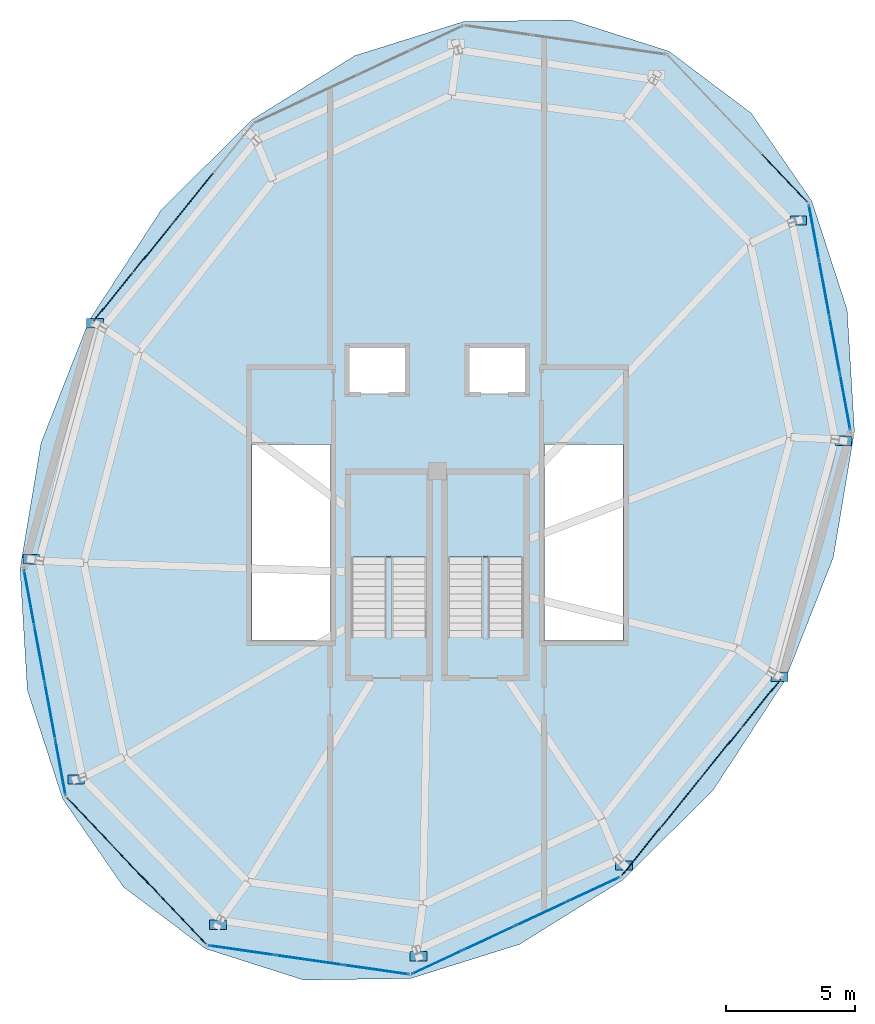
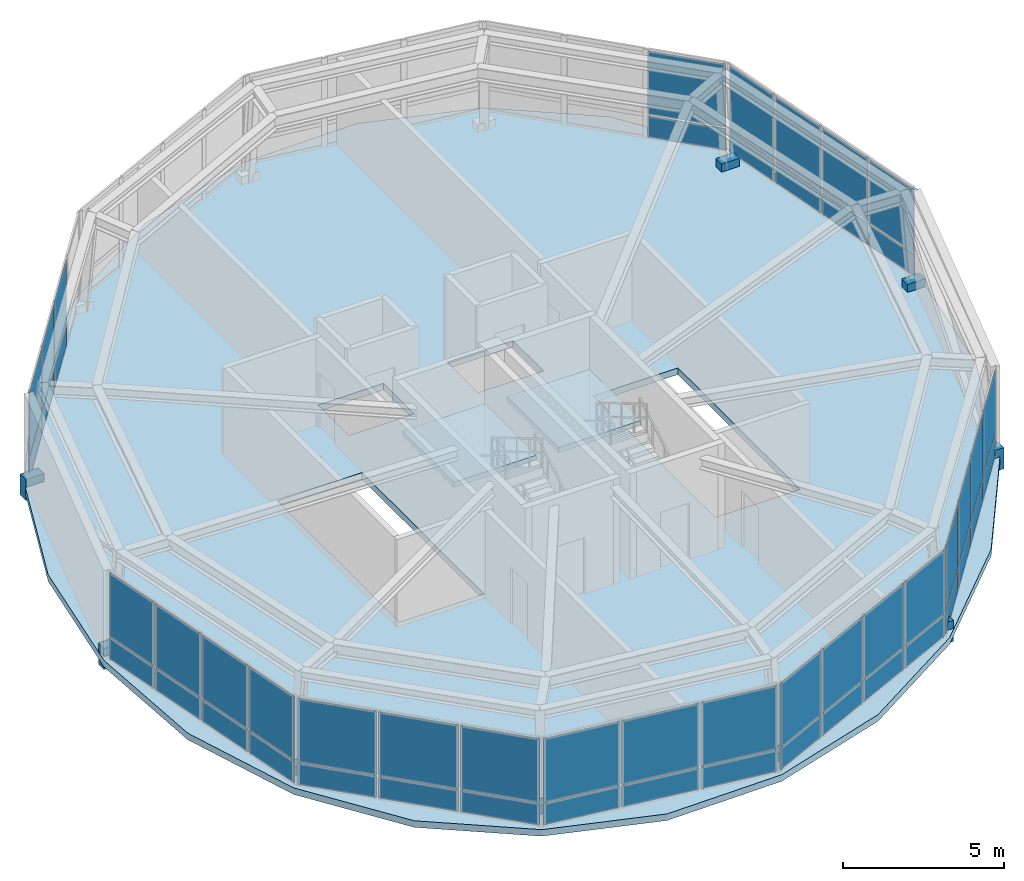
# One storey, part 11 of 14: 61 plates, 3 slabs, 10 elements without a shape of their own.
"""IFC4 building model written with IfcOpenShell, lengths in metres."""

from ifc_helpers import new_model, si_unit, direction, frame, origin, origin_2d, place, context, subcontext, project, spatial, polyline, rectangle, outline, extrude, material, layer, layer_set, type_object, element, aggregate, save


model = new_model("IFC4")

# Units and contexts
model_context = context("Model", 3, precision=1e-05, world=origin(), true_north=direction((0.0, 1.0)))
body_context = subcontext(model_context, "Body", "Model", "MODEL_VIEW")
ifc_project = project(units=[si_unit("LENGTHUNIT", "METRE"), si_unit("AREAUNIT", "SQUARE_METRE"), si_unit("VOLUMEUNIT", "CUBIC_METRE"), si_unit("PLANEANGLEUNIT", "RADIAN"), si_unit("MASSUNIT", "GRAM", prefix="KILO"), si_unit("THERMODYNAMICTEMPERATUREUNIT", "KELVIN"), si_unit("POWERUNIT", "WATT")], contexts=[model_context])

# Site, building, storey
site_placement = place(None, origin())
site = spatial("IfcSite", under=ifc_project, at=site_placement, CompositionType="ELEMENT")
building_placement = place(site_placement, origin())
building = spatial("IfcBuilding", under=site, at=building_placement, Name="Ocrelia Relay Tower", CompositionType="ELEMENT")
storey_placement = place(building_placement, frame((0.0, 0.0, 288.0)))
storey = spatial("IfcBuildingStorey", under=building, at=storey_placement, Name="L72", CompositionType="ELEMENT", Elevation=288.0)

# Curtain wall, plates
ifc_material_1 = material(Name="Aluminium and solar-control low-E glass", Category="aluminium")
ifc_layer_1 = layer(ifc_material_1, 0.179931640625, Name="Aluminium and solar-control low-E glass")
ifc_layer_set_1 = layer_set([ifc_layer_1], Name="Aluminium and solar-control low-E glass")
curtain_wall_type = type_object("IfcCurtainWallType", Name="CW-SYS-CROWN-PT", PredefinedType="NOTDEFINED", material=ifc_layer_set_1)
curtain_wall_1_placement = place(storey_placement, origin())
curtain_wall_1 = element("IfcCurtainWall", 1, at=curtain_wall_1_placement, inside=storey, type_object=curtain_wall_type, Name="L72 Faceted Glass-Point Crown Curtain Wall 03", PredefinedType="NOTDEFINED")
ifc_material_2 = material(Name="Clear double-glazed low-E glass", Category="glass")
ifc_layer_2 = layer(ifc_material_2, 0.031982421875, Name="Clear double-glazed low-E glass")
ifc_layer_set_2 = layer_set([ifc_layer_2], Name="Clear double-glazed low-E glass")
plate_type_1 = type_object("IfcPlateType", Name="CW-SYS-CROWN-PT-PNL", PredefinedType="CURTAIN_PANEL", material=ifc_layer_set_2)
plate_1_placement = place(storey_placement, frame((24.533935546875, 37.725830078125, 0.06494140625), z_axis=(0.0, 0.0, 1.0), x_axis=(-0.629502598711, -0.776998377229, 0.0)))
plate_1 = element("IfcPlate", 2, at=plate_1_placement, type_object=plate_type_1, Name="CW-CR panel 2.1", PredefinedType="CURTAIN_PANEL", context=body_context, shape_type="SweptSolid", body=[
    extrude(rectangle(XDim=2.407958984375, YDim=0.031982421875, at=origin_2d()), origin(), (0.0, 0.0, 1.0), 0.802490234375),
])
plate_2_placement = place(storey_placement, frame((24.533935546875, 37.725830078125, 0.932373046875), z_axis=(0.0, 0.0, 1.0), x_axis=(-0.629502598711, -0.776998377229, 0.0)))
plate_2 = element("IfcPlate", 3, at=plate_2_placement, type_object=plate_type_1, Name="CW-CR panel 2.2", PredefinedType="CURTAIN_PANEL", context=body_context, shape_type="SweptSolid", body=[
    extrude(rectangle(XDim=2.407958984375, YDim=0.031982421875, at=origin_2d()), origin(), (0.0, 0.0, 1.0), 2.392578125),
])
plate_3_placement = place(storey_placement, frame((22.970947265625, 35.796630859375, 0.06494140625), z_axis=(0.0, 0.0, 1.0), x_axis=(-0.629502598711, -0.776998377229, 0.0)))
plate_3 = element("IfcPlate", 4, at=plate_3_placement, type_object=plate_type_1, Name="CW-CR panel 3.1", PredefinedType="CURTAIN_PANEL", context=body_context, shape_type="SweptSolid", body=[
    extrude(rectangle(XDim=2.407958984375, YDim=0.031982421875, at=origin_2d()), origin(), (0.0, 0.0, 1.0), 0.802490234375),
])
plate_4_placement = place(storey_placement, frame((22.970947265625, 35.796630859375, 0.932373046875), z_axis=(0.0, 0.0, 1.0), x_axis=(-0.629502598711, -0.776998377229, 0.0)))
plate_4 = element("IfcPlate", 5, at=plate_4_placement, type_object=plate_type_1, Name="CW-CR panel 3.2", PredefinedType="CURTAIN_PANEL", context=body_context, shape_type="SweptSolid", body=[
    extrude(rectangle(XDim=2.407958984375, YDim=0.031982421875, at=origin_2d()), origin(), (0.0, 0.0, 1.0), 2.392578125),
])
plate_5_placement = place(storey_placement, frame((21.419677734375, 33.8818359375, 0.06494140625), z_axis=(0.0, 0.0, 1.0), x_axis=(-0.629502598711, -0.776998377229, 0.0)))
plate_5 = element("IfcPlate", 6, at=plate_5_placement, type_object=plate_type_1, Name="CW-CR panel 4.1", PredefinedType="CURTAIN_PANEL", context=body_context, shape_type="SweptSolid", body=[
    extrude(rectangle(XDim=2.370361328125, YDim=0.031982421875, at=origin_2d()), origin(), (0.0, 0.0, 1.0), 0.802490234375),
])
plate_6_placement = place(storey_placement, frame((21.419677734375, 33.8818359375, 0.932373046875), z_axis=(0.0, 0.0, 1.0), x_axis=(-0.629502598711, -0.776998377229, 0.0)))
plate_6 = element("IfcPlate", 7, at=plate_6_placement, type_object=plate_type_1, Name="CW-CR panel 4.2", PredefinedType="CURTAIN_PANEL", context=body_context, shape_type="SweptSolid", body=[
    extrude(rectangle(XDim=2.370361328125, YDim=0.031982421875, at=origin_2d()), origin(), (0.0, 0.0, 1.0), 2.392578125),
])
aggregate(curtain_wall_1, [plate_1, plate_2, plate_3, plate_4, plate_5, plate_6])

curtain_wall_2_placement = place(storey_placement, origin())
curtain_wall_2 = element("IfcCurtainWall", 8, at=curtain_wall_2_placement, inside=storey, type_object=curtain_wall_type, Name="L72 Faceted Glass-Point Crown Curtain Wall 05", PredefinedType="NOTDEFINED")
plate_7_placement = place(storey_placement, frame((18.164794921875, 22.211181640625, 0.06494140625), z_axis=(0.0, 0.0, 1.0), x_axis=(0.181067989736, -0.983470580695, 0.0)))
plate_7 = element("IfcPlate", 9, at=plate_7_placement, type_object=plate_type_1, Name="CW-CR panel 1.1", PredefinedType="CURTAIN_PANEL", context=body_context, shape_type="SweptSolid", body=[
    extrude(rectangle(XDim=2.137939453125, YDim=0.031982421875, at=origin_2d()), origin(), (0.0, 0.0, 1.0), 0.802490234375),
])
plate_8_placement = place(storey_placement, frame((18.164794921875, 22.211181640625, 0.932373046875), z_axis=(0.0, 0.0, 1.0), x_axis=(0.181067989736, -0.983470580695, 0.0)))
plate_8 = element("IfcPlate", 10, at=plate_8_placement, type_object=plate_type_1, Name="CW-CR panel 1.2", PredefinedType="CURTAIN_PANEL", context=body_context, shape_type="SweptSolid", body=[
    extrude(rectangle(XDim=2.137939453125, YDim=0.031982421875, at=origin_2d()), origin(), (0.0, 0.0, 1.0), 2.392578125),
])
plate_9_placement = place(storey_placement, frame((18.56884765625, 20.016357421875, 0.06494140625), z_axis=(0.0, 0.0, 1.0), x_axis=(0.181067989736, -0.983470580695, 0.0)))
plate_9 = element("IfcPlate", 11, at=plate_9_placement, type_object=plate_type_1, Name="CW-CR panel 2.1", PredefinedType="CURTAIN_PANEL", context=body_context, shape_type="SweptSolid", body=[
    extrude(rectangle(XDim=2.17529296875, YDim=0.031982421875, at=origin_2d()), origin(), (0.0, 0.0, 1.0), 0.802490234375),
])
plate_10_placement = place(storey_placement, frame((18.56884765625, 20.016357421875, 0.932373046875), z_axis=(0.0, 0.0, 1.0), x_axis=(0.181067989736, -0.983470580695, 0.0)))
plate_10 = element("IfcPlate", 12, at=plate_10_placement, type_object=plate_type_1, Name="CW-CR panel 2.2", PredefinedType="CURTAIN_PANEL", context=body_context, shape_type="SweptSolid", body=[
    extrude(rectangle(XDim=2.17529296875, YDim=0.031982421875, at=origin_2d()), origin(), (0.0, 0.0, 1.0), 2.392578125),
])
plate_11_placement = place(storey_placement, frame((18.976318359375, 17.802978515625, 0.06494140625), z_axis=(0.0, 0.0, 1.0), x_axis=(0.181067989736, -0.983470580695, 0.0)))
plate_11 = element("IfcPlate", 13, at=plate_11_placement, type_object=plate_type_1, Name="CW-CR panel 3.1", PredefinedType="CURTAIN_PANEL", context=body_context, shape_type="SweptSolid", body=[
    extrude(rectangle(XDim=2.17529296875, YDim=0.031982421875, at=origin_2d()), origin(), (0.0, 0.0, 1.0), 0.802490234375),
])
plate_12_placement = place(storey_placement, frame((18.976318359375, 17.802978515625, 0.932373046875), z_axis=(0.0, 0.0, 1.0), x_axis=(0.181067989736, -0.983470580695, 0.0)))
plate_12 = element("IfcPlate", 14, at=plate_12_placement, type_object=plate_type_1, Name="CW-CR panel 3.2", PredefinedType="CURTAIN_PANEL", context=body_context, shape_type="SweptSolid", body=[
    extrude(rectangle(XDim=2.17529296875, YDim=0.031982421875, at=origin_2d()), origin(), (0.0, 0.0, 1.0), 2.392578125),
])
plate_13_placement = place(storey_placement, frame((19.38037109375, 15.6083984375, 0.06494140625), z_axis=(0.0, 0.0, 1.0), x_axis=(0.181067989736, -0.983470580695, 0.0)))
plate_13 = element("IfcPlate", 15, at=plate_13_placement, type_object=plate_type_1, Name="CW-CR panel 4.1", PredefinedType="CURTAIN_PANEL", context=body_context, shape_type="SweptSolid", body=[
    extrude(rectangle(XDim=2.137939453125, YDim=0.031982421875, at=origin_2d()), origin(), (0.0, 0.0, 1.0), 0.802490234375),
])
plate_14_placement = place(storey_placement, frame((19.38037109375, 15.6083984375, 0.932373046875), z_axis=(0.0, 0.0, 1.0), x_axis=(0.181067989736, -0.983470580695, 0.0)))
plate_14 = element("IfcPlate", 16, at=plate_14_placement, type_object=plate_type_1, Name="CW-CR panel 4.2", PredefinedType="CURTAIN_PANEL", context=body_context, shape_type="SweptSolid", body=[
    extrude(rectangle(XDim=2.137939453125, YDim=0.031982421875, at=origin_2d()), origin(), (0.0, 0.0, 1.0), 2.392578125),
])
aggregate(curtain_wall_2, [plate_7, plate_8, plate_9, plate_10, plate_11, plate_12, plate_13, plate_14])

curtain_wall_3_placement = place(storey_placement, origin())
curtain_wall_3 = element("IfcCurtainWall", 17, at=curtain_wall_3_placement, inside=storey, type_object=curtain_wall_type, Name="L72 Faceted Glass-Point Crown Curtain Wall 06", PredefinedType="NOTDEFINED")
plate_15_placement = place(storey_placement, frame((20.515869140625, 13.508544921875, 0.06494140625), z_axis=(0.0, 0.0, 1.0), x_axis=(0.689616603237, -0.724174661625, 0.0)))
plate_15 = element("IfcPlate", 18, at=plate_15_placement, type_object=plate_type_1, Name="CW-CR panel 1.1", PredefinedType="CURTAIN_PANEL", context=body_context, shape_type="SweptSolid", body=[
    extrude(rectangle(XDim=2.5419921875, YDim=0.031982421875, at=origin_2d()), origin(), (0.0, 0.0, 1.0), 0.802490234375),
])
plate_16_placement = place(storey_placement, frame((20.515869140625, 13.508544921875, 0.932373046875), z_axis=(0.0, 0.0, 1.0), x_axis=(0.689616603237, -0.724174661625, 0.0)))
plate_16 = element("IfcPlate", 19, at=plate_16_placement, type_object=plate_type_1, Name="CW-CR panel 1.2", PredefinedType="CURTAIN_PANEL", context=body_context, shape_type="SweptSolid", body=[
    extrude(rectangle(XDim=2.5419921875, YDim=0.031982421875, at=origin_2d()), origin(), (0.0, 0.0, 1.0), 2.392578125),
])
plate_17_placement = place(storey_placement, frame((22.33349609375, 11.599853515625, 0.06494140625), z_axis=(0.0, 0.0, 1.0), x_axis=(0.689616603237, -0.724174661625, 0.0)))
plate_17 = element("IfcPlate", 20, at=plate_17_placement, type_object=plate_type_1, Name="CW-CR panel 2.1", PredefinedType="CURTAIN_PANEL", context=body_context, shape_type="SweptSolid", body=[
    extrude(rectangle(XDim=2.57958984375, YDim=0.031982421875, at=origin_2d()), origin(), (0.0, 0.0, 1.0), 0.802490234375),
])
plate_18_placement = place(storey_placement, frame((22.33349609375, 11.599853515625, 0.932373046875), z_axis=(0.0, 0.0, 1.0), x_axis=(0.689616603237, -0.724174661625, 0.0)))
plate_18 = element("IfcPlate", 21, at=plate_18_placement, type_object=plate_type_1, Name="CW-CR panel 2.2", PredefinedType="CURTAIN_PANEL", context=body_context, shape_type="SweptSolid", body=[
    extrude(rectangle(XDim=2.57958984375, YDim=0.031982421875, at=origin_2d()), origin(), (0.0, 0.0, 1.0), 2.392578125),
])
plate_19_placement = place(storey_placement, frame((24.151123046875, 9.691162109375, 0.06494140625), z_axis=(0.0, 0.0, 1.0), x_axis=(0.689616603237, -0.724174661625, 0.0)))
plate_19 = element("IfcPlate", 22, at=plate_19_placement, type_object=plate_type_1, Name="CW-CR panel 3.1", PredefinedType="CURTAIN_PANEL", context=body_context, shape_type="SweptSolid", body=[
    extrude(rectangle(XDim=2.5419921875, YDim=0.031982421875, at=origin_2d()), origin(), (0.0, 0.0, 1.0), 0.802490234375),
])
plate_20_placement = place(storey_placement, frame((24.151123046875, 9.691162109375, 0.932373046875), z_axis=(0.0, 0.0, 1.0), x_axis=(0.689616603237, -0.724174661625, 0.0)))
plate_20 = element("IfcPlate", 23, at=plate_20_placement, type_object=plate_type_1, Name="CW-CR panel 3.2", PredefinedType="CURTAIN_PANEL", context=body_context, shape_type="SweptSolid", body=[
    extrude(rectangle(XDim=2.5419921875, YDim=0.031982421875, at=origin_2d()), origin(), (0.0, 0.0, 1.0), 2.392578125),
])
aggregate(curtain_wall_3, [plate_15, plate_16, plate_17, plate_18, plate_19, plate_20])

curtain_wall_4_placement = place(storey_placement, origin())
curtain_wall_4 = element("IfcCurtainWall", 24, at=curtain_wall_4_placement, inside=storey, type_object=curtain_wall_type, Name="L72 Faceted Glass-Point Crown Curtain Wall 07", PredefinedType="NOTDEFINED")
plate_21_placement = place(storey_placement, frame((26.41162109375, 8.5244140625, 0.06494140625), z_axis=(0.0, 0.0, 1.0), x_axis=(0.989776471131, -0.142627266665, 0.0)))
plate_21 = element("IfcPlate", 25, at=plate_21_placement, type_object=plate_type_1, Name="CW-CR panel 1.1", PredefinedType="CURTAIN_PANEL", context=body_context, shape_type="SweptSolid", body=[
    extrude(rectangle(XDim=2.5419921875, YDim=0.031982421875, at=origin_2d()), origin(), (0.0, 0.0, 1.0), 0.802490234375),
])
plate_22_placement = place(storey_placement, frame((26.41162109375, 8.5244140625, 0.932373046875), z_axis=(0.0, 0.0, 1.0), x_axis=(0.989776471131, -0.142627266665, 0.0)))
plate_22 = element("IfcPlate", 26, at=plate_22_placement, type_object=plate_type_1, Name="CW-CR panel 1.2", PredefinedType="CURTAIN_PANEL", context=body_context, shape_type="SweptSolid", body=[
    extrude(rectangle(XDim=2.5419921875, YDim=0.031982421875, at=origin_2d()), origin(), (0.0, 0.0, 1.0), 2.392578125),
])
plate_23_placement = place(storey_placement, frame((29.020263671875, 8.1484375, 0.06494140625), z_axis=(0.0, 0.0, 1.0), x_axis=(0.989776471131, -0.142627266665, 0.0)))
plate_23 = element("IfcPlate", 27, at=plate_23_placement, type_object=plate_type_1, Name="CW-CR panel 2.1", PredefinedType="CURTAIN_PANEL", context=body_context, shape_type="SweptSolid", body=[
    extrude(rectangle(XDim=2.57958984375, YDim=0.031982421875, at=origin_2d()), origin(), (0.0, 0.0, 1.0), 0.802490234375),
])
plate_24_placement = place(storey_placement, frame((29.020263671875, 8.1484375, 0.932373046875), z_axis=(0.0, 0.0, 1.0), x_axis=(0.989776471131, -0.142627266665, 0.0)))
plate_24 = element("IfcPlate", 28, at=plate_24_placement, type_object=plate_type_1, Name="CW-CR panel 2.2", PredefinedType="CURTAIN_PANEL", context=body_context, shape_type="SweptSolid", body=[
    extrude(rectangle(XDim=2.57958984375, YDim=0.031982421875, at=origin_2d()), origin(), (0.0, 0.0, 1.0), 2.392578125),
])
plate_25_placement = place(storey_placement, frame((31.629150390625, 7.7724609375, 0.06494140625), z_axis=(0.0, 0.0, 1.0), x_axis=(0.989776471131, -0.142627266665, 0.0)))
plate_25 = element("IfcPlate", 29, at=plate_25_placement, type_object=plate_type_1, Name="CW-CR panel 3.1", PredefinedType="CURTAIN_PANEL", context=body_context, shape_type="SweptSolid", body=[
    extrude(rectangle(XDim=2.5419921875, YDim=0.031982421875, at=origin_2d()), origin(), (0.0, 0.0, 1.0), 0.802490234375),
])
plate_26_placement = place(storey_placement, frame((31.629150390625, 7.7724609375, 0.932373046875), z_axis=(0.0, 0.0, 1.0), x_axis=(0.989776471131, -0.142627266665, 0.0)))
plate_26 = element("IfcPlate", 30, at=plate_26_placement, type_object=plate_type_1, Name="CW-CR panel 3.2", PredefinedType="CURTAIN_PANEL", context=body_context, shape_type="SweptSolid", body=[
    extrude(rectangle(XDim=2.5419921875, YDim=0.031982421875, at=origin_2d()), origin(), (0.0, 0.0, 1.0), 2.392578125),
])
aggregate(curtain_wall_4, [plate_21, plate_22, plate_23, plate_24, plate_25, plate_26])

curtain_wall_5_placement = place(storey_placement, origin())
curtain_wall_5 = element("IfcCurtainWall", 31, at=curtain_wall_5_placement, inside=storey, type_object=curtain_wall_type, Name="L72 Faceted Glass-Point Crown Curtain Wall 08", PredefinedType="NOTDEFINED")
plate_27_placement = place(storey_placement, frame((33.998291015625, 8.0634765625, 0.06494140625), z_axis=(0.0, 0.0, 1.0), x_axis=(0.906542117727, 0.422115373786, 0.0)))
plate_27 = element("IfcPlate", 32, at=plate_27_placement, type_object=plate_type_1, Name="CW-CR panel 1.1", PredefinedType="CURTAIN_PANEL", context=body_context, shape_type="SweptSolid", body=[
    extrude(rectangle(XDim=2.137939453125, YDim=0.031982421875, at=origin_2d()), origin(), (0.0, 0.0, 1.0), 0.802490234375),
])
plate_28_placement = place(storey_placement, frame((33.998291015625, 8.0634765625, 0.932373046875), z_axis=(0.0, 0.0, 1.0), x_axis=(0.906542117727, 0.422115373786, 0.0)))
plate_28 = element("IfcPlate", 33, at=plate_28_placement, type_object=plate_type_1, Name="CW-CR panel 1.2", PredefinedType="CURTAIN_PANEL", context=body_context, shape_type="SweptSolid", body=[
    extrude(rectangle(XDim=2.137939453125, YDim=0.031982421875, at=origin_2d()), origin(), (0.0, 0.0, 1.0), 2.392578125),
])
plate_29_placement = place(storey_placement, frame((36.021484375, 9.00537109375, 0.06494140625), z_axis=(0.0, 0.0, 1.0), x_axis=(0.906542117727, 0.422115373786, 0.0)))
plate_29 = element("IfcPlate", 34, at=plate_29_placement, type_object=plate_type_1, Name="CW-CR panel 2.1", PredefinedType="CURTAIN_PANEL", context=body_context, shape_type="SweptSolid", body=[
    extrude(rectangle(XDim=2.17529296875, YDim=0.031982421875, at=origin_2d()), origin(), (0.0, 0.0, 1.0), 0.802490234375),
])
plate_30_placement = place(storey_placement, frame((36.021484375, 9.00537109375, 0.932373046875), z_axis=(0.0, 0.0, 1.0), x_axis=(0.906542117727, 0.422115373786, 0.0)))
plate_30 = element("IfcPlate", 35, at=plate_30_placement, type_object=plate_type_1, Name="CW-CR panel 2.2", PredefinedType="CURTAIN_PANEL", context=body_context, shape_type="SweptSolid", body=[
    extrude(rectangle(XDim=2.17529296875, YDim=0.031982421875, at=origin_2d()), origin(), (0.0, 0.0, 1.0), 2.392578125),
])
plate_31_placement = place(storey_placement, frame((38.0615234375, 9.955322265625, 0.06494140625), z_axis=(0.0, 0.0, 1.0), x_axis=(0.906542117727, 0.422115373786, 0.0)))
plate_31 = element("IfcPlate", 36, at=plate_31_placement, type_object=plate_type_1, Name="CW-CR panel 3.1", PredefinedType="CURTAIN_PANEL", context=body_context, shape_type="SweptSolid", body=[
    extrude(rectangle(XDim=2.17529296875, YDim=0.031982421875, at=origin_2d()), origin(), (0.0, 0.0, 1.0), 0.802490234375),
])
plate_32_placement = place(storey_placement, frame((38.0615234375, 9.955322265625, 0.932373046875), z_axis=(0.0, 0.0, 1.0), x_axis=(0.906542117727, 0.422115373786, 0.0)))
plate_32 = element("IfcPlate", 37, at=plate_32_placement, type_object=plate_type_1, Name="CW-CR panel 3.2", PredefinedType="CURTAIN_PANEL", context=body_context, shape_type="SweptSolid", body=[
    extrude(rectangle(XDim=2.17529296875, YDim=0.031982421875, at=origin_2d()), origin(), (0.0, 0.0, 1.0), 2.392578125),
])
plate_33_placement = place(storey_placement, frame((40.08447265625, 10.8974609375, 0.06494140625), z_axis=(0.0, 0.0, 1.0), x_axis=(0.906542117727, 0.422115373786, 0.0)))
plate_33 = element("IfcPlate", 38, at=plate_33_placement, type_object=plate_type_1, Name="CW-CR panel 4.1", PredefinedType="CURTAIN_PANEL", context=body_context, shape_type="SweptSolid", body=[
    extrude(rectangle(XDim=2.137939453125, YDim=0.031982421875, at=origin_2d()), origin(), (0.0, 0.0, 1.0), 0.802490234375),
])
plate_34_placement = place(storey_placement, frame((40.08447265625, 10.8974609375, 0.932373046875), z_axis=(0.0, 0.0, 1.0), x_axis=(0.906542117727, 0.422115373786, 0.0)))
plate_34 = element("IfcPlate", 39, at=plate_34_placement, type_object=plate_type_1, Name="CW-CR panel 4.2", PredefinedType="CURTAIN_PANEL", context=body_context, shape_type="SweptSolid", body=[
    extrude(rectangle(XDim=2.137939453125, YDim=0.031982421875, at=origin_2d()), origin(), (0.0, 0.0, 1.0), 2.392578125),
])
aggregate(curtain_wall_5, [plate_27, plate_28, plate_29, plate_30, plate_31, plate_32, plate_33, plate_34])

curtain_wall_6_placement = place(storey_placement, origin())
curtain_wall_6 = element("IfcCurtainWall", 40, at=curtain_wall_6_placement, inside=storey, type_object=curtain_wall_type, Name="L72 Faceted Glass-Point Crown Curtain Wall 09", PredefinedType="NOTDEFINED")
plate_35_placement = place(storey_placement, frame((41.914794921875, 12.359375, 0.06494140625), z_axis=(0.0, 0.0, 1.0), x_axis=(0.629502598711, 0.776998377229, 0.0)))
plate_35 = element("IfcPlate", 41, at=plate_35_placement, type_object=plate_type_1, Name="CW-CR panel 1.1", PredefinedType="CURTAIN_PANEL", context=body_context, shape_type="SweptSolid", body=[
    extrude(rectangle(XDim=2.370361328125, YDim=0.031982421875, at=origin_2d()), origin(), (0.0, 0.0, 1.0), 0.802490234375),
])
plate_36_placement = place(storey_placement, frame((41.914794921875, 12.359375, 0.932373046875), z_axis=(0.0, 0.0, 1.0), x_axis=(0.629502598711, 0.776998377229, 0.0)))
plate_36 = element("IfcPlate", 42, at=plate_36_placement, type_object=plate_type_1, Name="CW-CR panel 1.2", PredefinedType="CURTAIN_PANEL", context=body_context, shape_type="SweptSolid", body=[
    extrude(rectangle(XDim=2.370361328125, YDim=0.031982421875, at=origin_2d()), origin(), (0.0, 0.0, 1.0), 2.392578125),
])
plate_37_placement = place(storey_placement, frame((43.466064453125, 14.274169921875, 0.06494140625), z_axis=(0.0, 0.0, 1.0), x_axis=(0.629502598711, 0.776998377229, 0.0)))
plate_37 = element("IfcPlate", 43, at=plate_37_placement, type_object=plate_type_1, Name="CW-CR panel 2.1", PredefinedType="CURTAIN_PANEL", context=body_context, shape_type="SweptSolid", body=[
    extrude(rectangle(XDim=2.407958984375, YDim=0.031982421875, at=origin_2d()), origin(), (0.0, 0.0, 1.0), 0.802490234375),
])
plate_38_placement = place(storey_placement, frame((43.466064453125, 14.274169921875, 0.932373046875), z_axis=(0.0, 0.0, 1.0), x_axis=(0.629502598711, 0.776998377229, 0.0)))
plate_38 = element("IfcPlate", 44, at=plate_38_placement, type_object=plate_type_1, Name="CW-CR panel 2.2", PredefinedType="CURTAIN_PANEL", context=body_context, shape_type="SweptSolid", body=[
    extrude(rectangle(XDim=2.407958984375, YDim=0.031982421875, at=origin_2d()), origin(), (0.0, 0.0, 1.0), 2.392578125),
])
plate_39_placement = place(storey_placement, frame((45.029052734375, 16.203369140625, 0.06494140625), z_axis=(0.0, 0.0, 1.0), x_axis=(0.629502598711, 0.776998377229, 0.0)))
plate_39 = element("IfcPlate", 45, at=plate_39_placement, type_object=plate_type_1, Name="CW-CR panel 3.1", PredefinedType="CURTAIN_PANEL", context=body_context, shape_type="SweptSolid", body=[
    extrude(rectangle(XDim=2.407958984375, YDim=0.031982421875, at=origin_2d()), origin(), (0.0, 0.0, 1.0), 0.802490234375),
])
plate_40_placement = place(storey_placement, frame((45.029052734375, 16.203369140625, 0.932373046875), z_axis=(0.0, 0.0, 1.0), x_axis=(0.629502598711, 0.776998377229, 0.0)))
plate_40 = element("IfcPlate", 46, at=plate_40_placement, type_object=plate_type_1, Name="CW-CR panel 3.2", PredefinedType="CURTAIN_PANEL", context=body_context, shape_type="SweptSolid", body=[
    extrude(rectangle(XDim=2.407958984375, YDim=0.031982421875, at=origin_2d()), origin(), (0.0, 0.0, 1.0), 2.392578125),
])
plate_41_placement = place(storey_placement, frame((46.580322265625, 18.1181640625, 0.06494140625), z_axis=(0.0, 0.0, 1.0), x_axis=(0.629502598711, 0.776998377229, 0.0)))
plate_41 = element("IfcPlate", 47, at=plate_41_placement, type_object=plate_type_1, Name="CW-CR panel 4.1", PredefinedType="CURTAIN_PANEL", context=body_context, shape_type="SweptSolid", body=[
    extrude(rectangle(XDim=2.370361328125, YDim=0.031982421875, at=origin_2d()), origin(), (0.0, 0.0, 1.0), 0.802490234375),
])
plate_42_placement = place(storey_placement, frame((46.580322265625, 18.1181640625, 0.932373046875), z_axis=(0.0, 0.0, 1.0), x_axis=(0.629502598711, 0.776998377229, 0.0)))
plate_42 = element("IfcPlate", 48, at=plate_42_placement, type_object=plate_type_1, Name="CW-CR panel 4.2", PredefinedType="CURTAIN_PANEL", context=body_context, shape_type="SweptSolid", body=[
    extrude(rectangle(XDim=2.370361328125, YDim=0.031982421875, at=origin_2d()), origin(), (0.0, 0.0, 1.0), 2.392578125),
])
aggregate(curtain_wall_6, [plate_35, plate_36, plate_37, plate_38, plate_39, plate_40, plate_41, plate_42])

curtain_wall_7_placement = place(storey_placement, origin())
curtain_wall_7 = element("IfcCurtainWall", 49, at=curtain_wall_7_placement, inside=storey, type_object=curtain_wall_type, Name="L72 Faceted Glass-Point Crown Curtain Wall 11", PredefinedType="NOTDEFINED")
plate_43_placement = place(storey_placement, frame((49.835205078125, 29.788818359375, 0.06494140625), z_axis=(0.0, 0.0, 1.0), x_axis=(-0.181067989736, 0.983470580695, 0.0)))
plate_43 = element("IfcPlate", 50, at=plate_43_placement, type_object=plate_type_1, Name="CW-CR panel 1.1", PredefinedType="CURTAIN_PANEL", context=body_context, shape_type="SweptSolid", body=[
    extrude(rectangle(XDim=2.137939453125, YDim=0.031982421875, at=origin_2d()), origin(), (0.0, 0.0, 1.0), 0.802490234375),
])
plate_44_placement = place(storey_placement, frame((49.835205078125, 29.788818359375, 0.932373046875), z_axis=(0.0, 0.0, 1.0), x_axis=(-0.181067989736, 0.983470580695, 0.0)))
plate_44 = element("IfcPlate", 51, at=plate_44_placement, type_object=plate_type_1, Name="CW-CR panel 1.2", PredefinedType="CURTAIN_PANEL", context=body_context, shape_type="SweptSolid", body=[
    extrude(rectangle(XDim=2.137939453125, YDim=0.031982421875, at=origin_2d()), origin(), (0.0, 0.0, 1.0), 2.392578125),
])
plate_45_placement = place(storey_placement, frame((49.43115234375, 31.983642578125, 0.06494140625), z_axis=(0.0, 0.0, 1.0), x_axis=(-0.181067989736, 0.983470580695, 0.0)))
plate_45 = element("IfcPlate", 52, at=plate_45_placement, type_object=plate_type_1, Name="CW-CR panel 2.1", PredefinedType="CURTAIN_PANEL", context=body_context, shape_type="SweptSolid", body=[
    extrude(rectangle(XDim=2.17529296875, YDim=0.031982421875, at=origin_2d()), origin(), (0.0, 0.0, 1.0), 0.802490234375),
])
plate_46_placement = place(storey_placement, frame((49.43115234375, 31.983642578125, 0.932373046875), z_axis=(0.0, 0.0, 1.0), x_axis=(-0.181067989736, 0.983470580695, 0.0)))
plate_46 = element("IfcPlate", 53, at=plate_46_placement, type_object=plate_type_1, Name="CW-CR panel 2.2", PredefinedType="CURTAIN_PANEL", context=body_context, shape_type="SweptSolid", body=[
    extrude(rectangle(XDim=2.17529296875, YDim=0.031982421875, at=origin_2d()), origin(), (0.0, 0.0, 1.0), 2.392578125),
])
plate_47_placement = place(storey_placement, frame((49.023681640625, 34.197021484375, 0.06494140625), z_axis=(0.0, 0.0, 1.0), x_axis=(-0.181067989736, 0.983470580695, 0.0)))
plate_47 = element("IfcPlate", 54, at=plate_47_placement, type_object=plate_type_1, Name="CW-CR panel 3.1", PredefinedType="CURTAIN_PANEL", context=body_context, shape_type="SweptSolid", body=[
    extrude(rectangle(XDim=2.17529296875, YDim=0.031982421875, at=origin_2d()), origin(), (0.0, 0.0, 1.0), 0.802490234375),
])
plate_48_placement = place(storey_placement, frame((49.023681640625, 34.197021484375, 0.932373046875), z_axis=(0.0, 0.0, 1.0), x_axis=(-0.181067989736, 0.983470580695, 0.0)))
plate_48 = element("IfcPlate", 55, at=plate_48_placement, type_object=plate_type_1, Name="CW-CR panel 3.2", PredefinedType="CURTAIN_PANEL", context=body_context, shape_type="SweptSolid", body=[
    extrude(rectangle(XDim=2.17529296875, YDim=0.031982421875, at=origin_2d()), origin(), (0.0, 0.0, 1.0), 2.392578125),
])
plate_49_placement = place(storey_placement, frame((48.61962890625, 36.3916015625, 0.06494140625), z_axis=(0.0, 0.0, 1.0), x_axis=(-0.181067989736, 0.983470580695, 0.0)))
plate_49 = element("IfcPlate", 56, at=plate_49_placement, type_object=plate_type_1, Name="CW-CR panel 4.1", PredefinedType="CURTAIN_PANEL", context=body_context, shape_type="SweptSolid", body=[
    extrude(rectangle(XDim=2.137939453125, YDim=0.031982421875, at=origin_2d()), origin(), (0.0, 0.0, 1.0), 0.802490234375),
])
plate_50_placement = place(storey_placement, frame((48.61962890625, 36.3916015625, 0.932373046875), z_axis=(0.0, 0.0, 1.0), x_axis=(-0.181067989736, 0.983470580695, 0.0)))
plate_50 = element("IfcPlate", 57, at=plate_50_placement, type_object=plate_type_1, Name="CW-CR panel 4.2", PredefinedType="CURTAIN_PANEL", context=body_context, shape_type="SweptSolid", body=[
    extrude(rectangle(XDim=2.137939453125, YDim=0.031982421875, at=origin_2d()), origin(), (0.0, 0.0, 1.0), 2.392578125),
])
aggregate(curtain_wall_7, [plate_43, plate_44, plate_45, plate_46, plate_47, plate_48, plate_49, plate_50])

curtain_wall_8_placement = place(storey_placement, origin())
curtain_wall_8 = element("IfcCurtainWall", 58, at=curtain_wall_8_placement, inside=storey, type_object=curtain_wall_type, Name="L72 Faceted Glass-Point Crown Curtain Wall 12", PredefinedType="NOTDEFINED")
plate_51_placement = place(storey_placement, frame((47.484130859375, 38.491455078125, 0.06494140625), z_axis=(0.0, 0.0, 1.0), x_axis=(-0.689616603237, 0.724174661625, 0.0)))
plate_51 = element("IfcPlate", 59, at=plate_51_placement, type_object=plate_type_1, Name="CW-CR panel 1.1", PredefinedType="CURTAIN_PANEL", context=body_context, shape_type="SweptSolid", body=[
    extrude(rectangle(XDim=2.5419921875, YDim=0.031982421875, at=origin_2d()), origin(), (0.0, 0.0, 1.0), 0.802490234375),
])
plate_52_placement = place(storey_placement, frame((47.484130859375, 38.491455078125, 0.932373046875), z_axis=(0.0, 0.0, 1.0), x_axis=(-0.689616603237, 0.724174661625, 0.0)))
plate_52 = element("IfcPlate", 60, at=plate_52_placement, type_object=plate_type_1, Name="CW-CR panel 1.2", PredefinedType="CURTAIN_PANEL", context=body_context, shape_type="SweptSolid", body=[
    extrude(rectangle(XDim=2.5419921875, YDim=0.031982421875, at=origin_2d()), origin(), (0.0, 0.0, 1.0), 2.392578125),
])
aggregate(curtain_wall_8, [plate_51, plate_52])

# Plates
ifc_material_3 = material(Name="Steel S355", Category="steel")
ifc_layer_3 = layer(ifc_material_3, 0.031982421875, Name="Steel S355")
ifc_layer_set_3 = layer_set([ifc_layer_3], Name="Steel S355")
plate_type_2 = type_object("IfcPlateType", Name="PL-SPLICE-CP1", PredefinedType="SHEET", material=ifc_layer_set_3)
for number, where, z_axis, x_axis, name in (
    (61, (20.715087890625, 32.856689453125, -0.5), (0.0, 0.0, 1.0), (1.0, 0.0, 0.0), "Crown Rib Base Splice Plate SP-01 (04)"),
    (62, (18.240966796875, 23.6962890625, -0.5), (0.0, 0.0, 1.0), (1.0, 0.0, 0.0), "Crown Rib Base Splice Plate SP-01 (05)"),
    (63, (19.989501953125, 15.153076171875, -0.5), (0.0, 0.0, 1.0), (1.0, 0.0, 0.0), "Crown Rib Base Splice Plate SP-01 (06)"),
    (64, (25.4921875, 9.51611328125, -0.5), (0.0, 0.0, 1.0), (1.0, 0.0, 0.0), "Crown Rib Base Splice Plate SP-01 (07)"),
    (65, (33.2744140625, 8.296142578125, -0.5), (0.0, 0.0, 1.0), (1.0, 0.0, 0.0), "Crown Rib Base Splice Plate SP-01 (08)"),
    (66, (41.2509765625, 11.81982421875, -0.5), (0.0, 0.0, 1.0), (1.0, 0.0, 0.0), "Crown Rib Base Splice Plate SP-01 (09)"),
    (67, (47.284912109375, 19.143310546875, -0.5), (0.0, 0.0, 1.0), (1.0, 0.0, 0.0), "Crown Rib Base Splice Plate SP-01 (10)"),
    (68, (49.759033203125, 28.3037109375, -0.5), (0.0, 0.0, 1.0), (1.0, 0.0, 0.0), "Crown Rib Base Splice Plate SP-01 (11)"),
    (69, (48.010498046875, 36.846923828125, -0.5), (0.0, 0.0, 1.0), (1.0, 0.0, 0.0), "Crown Rib Base Splice Plate SP-01 (12)"),
):
    element("IfcPlate", number, at=place(storey_placement, frame(where, z_axis=z_axis, x_axis=x_axis)), inside=storey, type_object=plate_type_2, Name=name, PredefinedType="SHEET", context=body_context, shape_type="SweptSolid", body=[
        extrude(rectangle(XDim=0.64990234375, YDim=0.360107421875, at=origin_2d()), origin(), (0.0, 0.0, 1.0), 0.800048828125),
    ])

# Slab
ifc_material_4 = material(Name="Concrete C50/60", Category="concrete")
ifc_layer_4 = layer(ifc_material_4, 0.25, Name="Concrete C50/60")
ifc_layer_set_4 = layer_set([ifc_layer_4], Name="Concrete C50/60")
slab_type_1 = type_object("IfcSlabType", Name="SL-FLR-250", PredefinedType="FLOOR", material=ifc_layer_set_4)
slab_1_placement = place(storey_placement, frame((0.0, 0.0, -0.25)))
element("IfcSlab", 70, at=slab_1_placement, inside=storey, type_object=slab_type_1, Name="L72 Elliptical Tower Floor Slab", PredefinedType="FLOOR", context=body_context, shape_type="SweptSolid", body=[
    extrude(outline(polyline([(42.989501953125, 43.4169921875), (39.1875, 44.627685546875), (35.03173828125, 44.569091796875), (30.8056640625, 43.2451171875), (26.79736328125, 40.745849609375), (23.27978515625, 37.24169921875), (20.492919921875, 32.971435546875), (18.626708984375, 28.22607421875), (17.807861328125, 23.3291015625), (18.092529296875, 18.614013671875), (19.461181640625, 14.40234375), (21.82080078125, 10.98095703125), (25.010498046875, 8.5830078125), (28.8125, 7.372314453125), (32.96826171875, 7.430908203125), (37.1943359375, 8.7548828125), (41.20263671875, 11.254150390625), (44.72021484375, 14.75830078125), (47.507080078125, 19.028564453125), (49.373291015625, 23.77392578125), (50.192138671875, 28.6708984375), (49.907470703125, 33.385986328125), (48.538818359375, 37.59765625), (46.17919921875, 41.01904296875), (42.989501953125, 43.4169921875)]), holes=[polyline([(26.81005859375, 28.14990234375), (26.81005859375, 20.550048828125), (29.85009765625, 20.550048828125), (29.85009765625, 28.14990234375), (26.81005859375, 28.14990234375)]), polyline([(38.159912109375, 28.14990234375), (38.159912109375, 20.550048828125), (41.199951171875, 20.550048828125), (41.199951171875, 28.14990234375), (38.159912109375, 28.14990234375)]), polyline([(30.5, 30.10009765625), (32.85009765625, 30.10009765625), (32.85009765625, 32.0), (30.5, 32.0), (30.5, 30.10009765625)]), polyline([(35.14990234375, 30.10009765625), (37.5, 30.10009765625), (37.5, 32.0), (35.14990234375, 32.0), (35.14990234375, 30.10009765625)])]), origin(), (0.0, 0.0, 1.0), 0.25),
])

# Stair, slab
stair_type = type_object("IfcStairType", Name="ST-DL-1400-R167", PredefinedType="HALF_TURN_STAIR", material=ifc_material_4)
stair_1_placement = place(storey_placement, origin())
stair_1 = element("IfcStair", 71, at=stair_1_placement, inside=storey, type_object=stair_type, Name="L72 Crown North-West Stair ST4", PredefinedType="HALF_TURN_STAIR")
ifc_layer_5 = layer(ifc_material_4, 0.199951171875, Name="Concrete C50/60")
ifc_layer_set_5 = layer_set([ifc_layer_5], Name="Concrete C50/60")
slab_type_2 = type_object("IfcSlabType", Name="SL-LANDING-200", PredefinedType="LANDING", material=ifc_layer_set_5)
slab_2_placement = place(storey_placement, frame((0.0, 0.0, 1.800048828125)))
slab_2 = element("IfcSlab", 72, at=slab_2_placement, type_object=slab_type_2, Name="ST4 landing 1", PredefinedType="LANDING", context=body_context, shape_type="SweptSolid", body=[
    extrude(outline(polyline([(33.60009765625, 23.784912109375), (33.60009765625, 27.0), (30.639892578125, 27.0), (30.639892578125, 23.784912109375), (33.60009765625, 23.784912109375)])), origin(), (0.0, 0.0, 1.0), 0.199951171875),
])
aggregate(stair_1, [slab_2])

stair_2_placement = place(storey_placement, origin())
stair_2 = element("IfcStair", 73, at=stair_2_placement, inside=storey, type_object=stair_type, Name="L72 Crown North-East Stair ST5", PredefinedType="HALF_TURN_STAIR")
slab_3_placement = place(storey_placement, frame((0.0, 0.0, 1.800048828125)))
slab_3 = element("IfcSlab", 74, at=slab_3_placement, type_object=slab_type_2, Name="ST5 landing 1", PredefinedType="LANDING", context=body_context, shape_type="SweptSolid", body=[
    extrude(outline(polyline([(37.360107421875, 23.784912109375), (37.360107421875, 27.0), (34.39990234375, 27.0), (34.39990234375, 23.784912109375), (37.360107421875, 23.784912109375)])), origin(), (0.0, 0.0, 1.0), 0.199951171875),
])
aggregate(stair_2, [slab_3])

save(model, "model.ifc")
